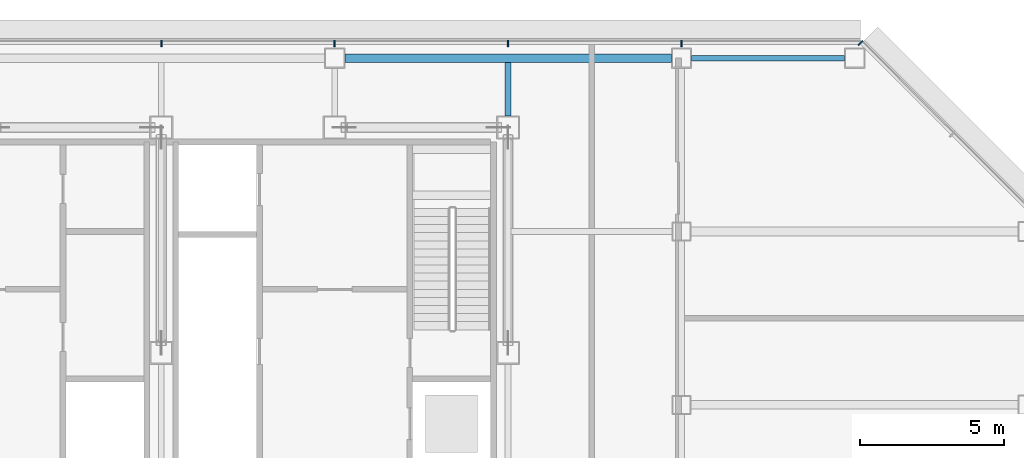
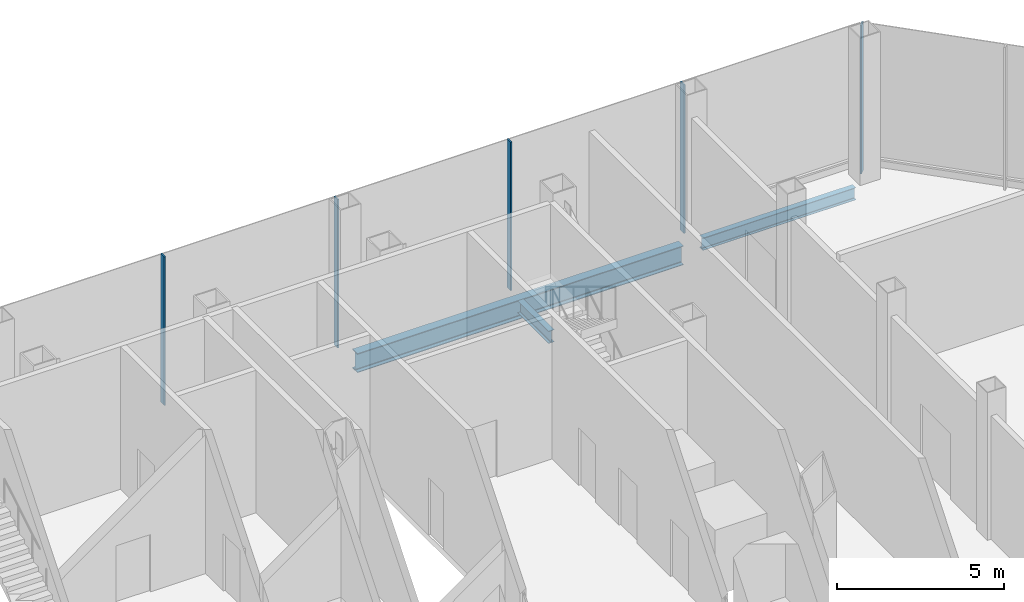
# One storey, part 11 of 24: 5 members, 3 beams, 2 elements without a shape of their own.
"""IFC4 building model written with IfcOpenShell, lengths in metres."""

from ifc_helpers import new_model, si_unit, direction, frame, origin, origin_2d, place, context, subcontext, project, spatial, rectangle, i_section, extrude, material, material_profile, profile_set, type_object, element, aggregate, save


model = new_model("IFC4")

# Units and contexts
model_context = context("Model", 3, precision=1e-05, world=origin(), true_north=direction((0.0, 1.0)))
body_context = subcontext(model_context, "Body", "Model", "MODEL_VIEW")
ifc_project = project(units=[si_unit("LENGTHUNIT", "METRE"), si_unit("AREAUNIT", "SQUARE_METRE"), si_unit("VOLUMEUNIT", "CUBIC_METRE"), si_unit("PLANEANGLEUNIT", "RADIAN"), si_unit("MASSUNIT", "GRAM", prefix="KILO")], contexts=[model_context])

# Site, building, storey
site_placement = place(None, origin())
site = spatial("IfcSite", under=ifc_project, at=site_placement, CompositionType="ELEMENT")
building_placement = place(site_placement, origin())
building = spatial("IfcBuilding", under=site, at=building_placement, Name="Sorahane Residences", CompositionType="ELEMENT")
storey_placement = place(building_placement, frame((0.0, 0.0, 161.800048828125)))
storey = spatial("IfcBuildingStorey", under=building, at=storey_placement, Name="L37", CompositionType="ELEMENT", Elevation=161.800048828125)

# Curtain wall, member
ifc_material_1 = material(Name="Dark low-e glass and black anodised aluminium", Category="aluminium")
curtain_wall_type = type_object("IfcCurtainWallType", Name="Curtain wall CW-4 Sky floor frameless wall", PredefinedType="NOTDEFINED", material=ifc_material_1)
curtain_wall_1_placement = place(storey_placement, origin())
curtain_wall_1 = element("IfcCurtainWall", 1, at=curtain_wall_1_placement, inside=storey, type_object=curtain_wall_type, Name="CW-4 curtain wall L37 NE1", PredefinedType="NOTDEFINED")
ifc_material_2 = material(Name="Black anodised aluminium", Category="aluminium")
ifc_material_profile_1 = material_profile(ifc_material_2, rectangle(XDim=0.219970703125, YDim=0.050048828125, at=origin_2d()), Name="Curtain wall mullion CW-4 black anodised aluminium 50x220")
ifc_profile_set_1 = profile_set([ifc_material_profile_1], Name="Black anodised aluminium")
member_type = type_object("IfcMemberType", Name="Curtain wall mullion CW-4 black anodised aluminium 50x220", PredefinedType="MULLION", material=ifc_profile_set_1)
member_1_placement = place(storey_placement, frame((54.20263671875, 48.518798828125, -0.219970703125), z_axis=(0.0, 0.0, 1.0), x_axis=(0.707106781187, 0.707106781187, 0.0)))
member_1 = element("IfcMember", 2, at=member_1_placement, type_object=member_type, Name="CW-4 mullion L37 NE1.3", PredefinedType="MULLION", context=body_context, shape_type="SweptSolid", body=[
    extrude(rectangle(XDim=0.219970703125, YDim=0.050048828125, at=origin_2d()), origin(), (0.0, 0.0, 1.0), 5.43994140625),
])
aggregate(curtain_wall_1, [member_1])

# Curtain wall, members
curtain_wall_2_placement = place(storey_placement, origin())
curtain_wall_2 = element("IfcCurtainWall", 3, at=curtain_wall_2_placement, inside=storey, type_object=curtain_wall_type, Name="CW-4 curtain wall L37 N1", PredefinedType="NOTDEFINED")
member_2_placement = place(storey_placement, frame((48.0, 48.510009765625, -0.219970703125), z_axis=(0.0, 0.0, 1.0), x_axis=(0.0, 1.0, 0.0)))
member_2 = element("IfcMember", 4, at=member_2_placement, type_object=member_type, Name="CW-4 mullion L37 N1.2", PredefinedType="MULLION", context=body_context, shape_type="SweptSolid", body=[
    extrude(rectangle(XDim=0.219970703125, YDim=0.050048828125, at=origin_2d()), origin(), (0.0, 0.0, 1.0), 5.43994140625),
])
member_3_placement = place(storey_placement, frame((42.0, 48.510009765625, -0.219970703125), z_axis=(0.0, 0.0, 1.0), x_axis=(0.0, 1.0, 0.0)))
member_3 = element("IfcMember", 5, at=member_3_placement, type_object=member_type, Name="CW-4 mullion L37 N1.3", PredefinedType="MULLION", context=body_context, shape_type="SweptSolid", body=[
    extrude(rectangle(XDim=0.219970703125, YDim=0.050048828125, at=origin_2d()), origin(), (0.0, 0.0, 1.0), 5.43994140625),
])
member_4_placement = place(storey_placement, frame((36.0, 48.510009765625, -0.219970703125), z_axis=(0.0, 0.0, 1.0), x_axis=(0.0, 1.0, 0.0)))
member_4 = element("IfcMember", 6, at=member_4_placement, type_object=member_type, Name="CW-4 mullion L37 N1.4", PredefinedType="MULLION", context=body_context, shape_type="SweptSolid", body=[
    extrude(rectangle(XDim=0.219970703125, YDim=0.050048828125, at=origin_2d()), origin(), (0.0, 0.0, 1.0), 5.43994140625),
])
member_5_placement = place(storey_placement, frame((30.0, 48.510009765625, -0.219970703125), z_axis=(0.0, 0.0, 1.0), x_axis=(0.0, 1.0, 0.0)))
member_5 = element("IfcMember", 7, at=member_5_placement, type_object=member_type, Name="CW-4 mullion L37 N1.5", PredefinedType="MULLION", context=body_context, shape_type="SweptSolid", body=[
    extrude(rectangle(XDim=0.219970703125, YDim=0.050048828125, at=origin_2d()), origin(), (0.0, 0.0, 1.0), 5.43994140625),
])
aggregate(curtain_wall_2, [member_2, member_3, member_4, member_5])

# Beams
ifc_material_3 = material(Name="Steel Q355B", Category="steel")
ifc_material_profile_2 = material_profile(ifc_material_3, i_section(OverallWidth=0.199951171875, OverallDepth=0.449951171875, WebThickness=0.009033203125, FlangeThickness=0.013916015625, FilletRadius=0.02001953125, at=origin_2d()), Name="HN 450x200x9x14")
ifc_profile_set_2 = profile_set([ifc_material_profile_2], Name="Steel Q355B")
beam_type_1 = type_object("IfcBeamType", Name="Steel floor beam HN 450x200x9x14 Q355B", PredefinedType="BEAM", material=ifc_profile_set_2)
beam_1_placement = place(storey_placement, frame((48.35009765625, 48.0, -0.445068359375), z_axis=(1.0, 0.0, 0.0), x_axis=(0.0, 1.0, 0.0)))
element("IfcBeam", 8, at=beam_1_placement, inside=storey, type_object=beam_type_1, Name="Beam L37 019", PredefinedType="BEAM", context=body_context, shape_type="SweptSolid", body=[
    extrude(i_section(OverallWidth=0.199951171875, OverallDepth=0.449951171875, WebThickness=0.009033203125, FlangeThickness=0.013916015625, FilletRadius=0.02001953125, at=origin_2d()), origin(), (0.0, 0.0, 1.0), 5.2998046875),
])
beam_2_placement = place(storey_placement, frame((42.0, 46.0, -0.445068359375), z_axis=(0.0, 1.0, 0.0), x_axis=(-1.0, 0.0, 0.0)))
element("IfcBeam", 9, at=beam_2_placement, inside=storey, type_object=beam_type_1, Name="Beam L37 057", PredefinedType="BEAM", context=body_context, shape_type="SweptSolid", body=[
    extrude(i_section(OverallWidth=0.199951171875, OverallDepth=0.449951171875, WebThickness=0.009033203125, FlangeThickness=0.013916015625, FilletRadius=0.02001953125, at=origin_2d()), origin(), (0.0, 0.0, 1.0), 1.85009765625),
])
ifc_material_4 = material(Name="Steel Q355B", Category="steel")
ifc_material_profile_3 = material_profile(ifc_material_4, i_section(OverallWidth=0.300048828125, OverallDepth=0.699951171875, WebThickness=0.012939453125, FlangeThickness=0.02392578125, FilletRadius=0.028076171875, at=origin_2d()), Name="HN 700x300x13x24")
ifc_profile_set_3 = profile_set([ifc_material_profile_3], Name="Steel Q355B")
beam_type_2 = type_object("IfcBeamType", Name="Steel floor beam HN 700x300x13x24 Q355B", PredefinedType="BEAM", material=ifc_profile_set_3)
beam_3_placement = place(storey_placement, frame((36.35009765625, 48.0, -0.570068359375), z_axis=(1.0, 0.0, 0.0), x_axis=(0.0, 1.0, 0.0)))
element("IfcBeam", 10, at=beam_3_placement, inside=storey, type_object=beam_type_2, Name="Beam L37 018", PredefinedType="BEAM", context=body_context, shape_type="SweptSolid", body=[
    extrude(i_section(OverallWidth=0.300048828125, OverallDepth=0.699951171875, WebThickness=0.012939453125, FlangeThickness=0.02392578125, FilletRadius=0.028076171875, at=origin_2d()), origin(), (0.0, 0.0, 1.0), 11.2998046875),
])

save(model, "model.ifc")
